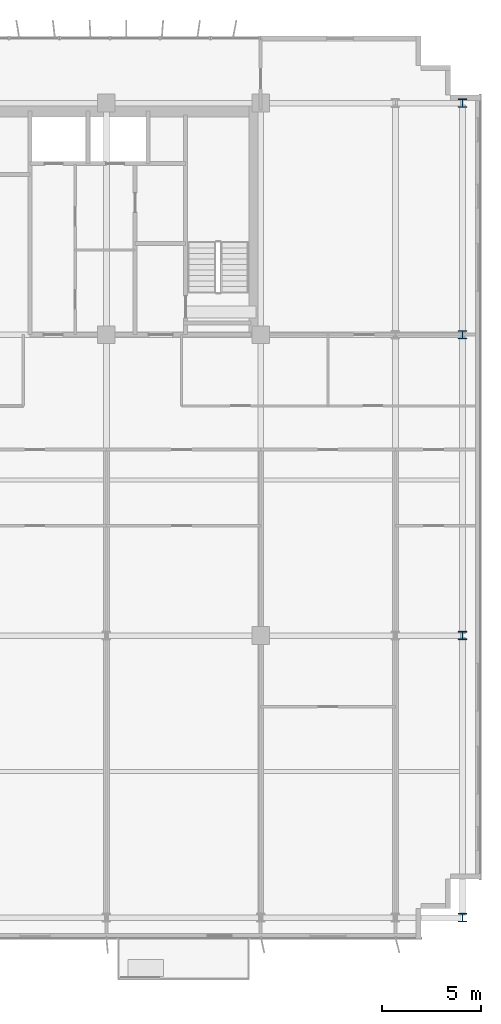
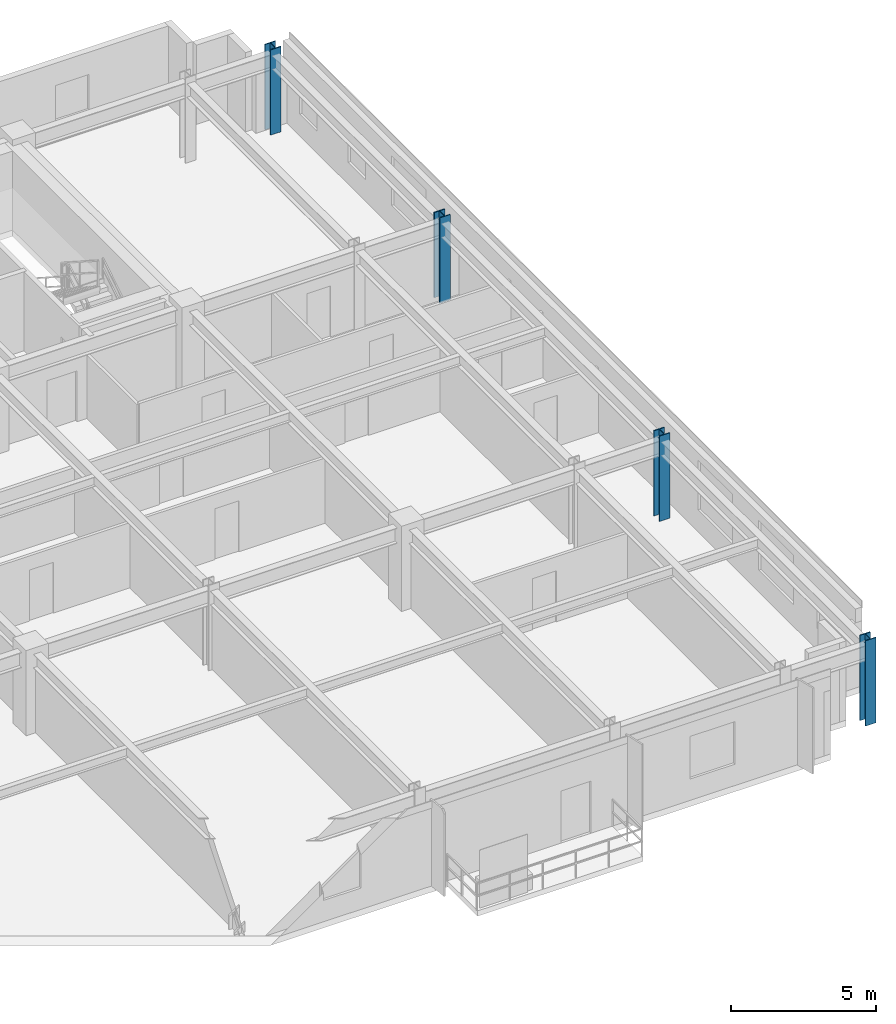
# One storey, part 3 of 21: 4 columns.
"""IFC4 building model written with IfcOpenShell, lengths in metres."""

from ifc_helpers import new_model, si_unit, direction, frame, origin, origin_2d, place, context, subcontext, project, spatial, i_section, extrude, source, transform, mapped, material, material_profile, profile_set, type_object, element, save


model = new_model("IFC4")

# Units and contexts
model_context = context("Model", 3, precision=1e-05, world=origin(), true_north=direction((0.0, 1.0)))
body_context = subcontext(model_context, "Body", "Model", "MODEL_VIEW")
ifc_project = project(units=[si_unit("LENGTHUNIT", "METRE"), si_unit("AREAUNIT", "SQUARE_METRE"), si_unit("VOLUMEUNIT", "CUBIC_METRE"), si_unit("PLANEANGLEUNIT", "RADIAN"), si_unit("MASSUNIT", "GRAM", prefix="KILO")], contexts=[model_context])

# Site, building, storey
site_placement = place(None, origin())
site = spatial("IfcSite", under=ifc_project, at=site_placement, CompositionType="ELEMENT")
building_placement = place(site_placement, origin())
building = spatial("IfcBuilding", under=site, at=building_placement, Name="Trelvane Seafront Commons", CompositionType="ELEMENT")
storey_placement = place(building_placement, frame((0.0, 0.0, 37.89990234375)))
storey = spatial("IfcBuildingStorey", under=building, at=storey_placement, Name="L09", CompositionType="ELEMENT", Elevation=37.89990234375)

# Columns
ifc_material = material(Name="Steel SM355 (S355)", Category="steel")
ifc_material_profile = material_profile(ifc_material, i_section(OverallWidth=0.419921875, OverallDepth=0.419921875, WebThickness=0.02587890625, FlangeThickness=0.0400390625, at=origin_2d()), Name="HD-420x420x26x40")
ifc_profile_set = profile_set([ifc_material_profile], Name="Steel SM355 (S355)")
column_type = type_object("IfcColumnType", Name="STR-COL-HD420", PredefinedType="COLUMN", material=ifc_profile_set)
shared_shape = source(origin(), body_context, "Body", "SweptSolid", [
    extrude(i_section(OverallWidth=0.419921875, OverallDepth=0.419921875, WebThickness=0.02587890625, FlangeThickness=0.0400390625, at=origin_2d()), origin(), (0.0, 0.0, 1.0), 3.60009765625),
])
for number, where, z_axis, x_axis, name in (
    (1, (69.0, 3.949951171875, 0.0), (0.0, 0.0, 1.0), (1.0, 0.0, 0.0), "L09 Column TC-S69.0"),
    (2, (69.0, 18.199951171875, 0.0), (0.0, 0.0, 1.0), (1.0, 0.0, 0.0), "L09 Column TC-M69.0"),
    (3, (69.0, 33.39990234375, 0.0), (0.0, 0.0, 1.0), (1.0, 0.0, 0.0), "L09 Column TC-CS69.0"),
    (4, (69.0, 45.10009765625, 0.0), (0.0, 0.0, 1.0), (1.0, 0.0, 0.0), "L09 Column TC-CN69.0"),
):
    element("IfcColumn", number, at=place(storey_placement, frame(where, z_axis=z_axis, x_axis=x_axis)), inside=storey, type_object=column_type, Name=name, PredefinedType="COLUMN", context=body_context, shape_type="MappedRepresentation", body=[
        mapped(shared_shape, transform((0.0, 0.0, 0.0), x_axis=(1.0, 0.0, 0.0), y_axis=(0.0, 1.0, 0.0), z_axis=(0.0, 0.0, 1.0), scale=1.0)),
    ])

save(model, "model.ifc")
